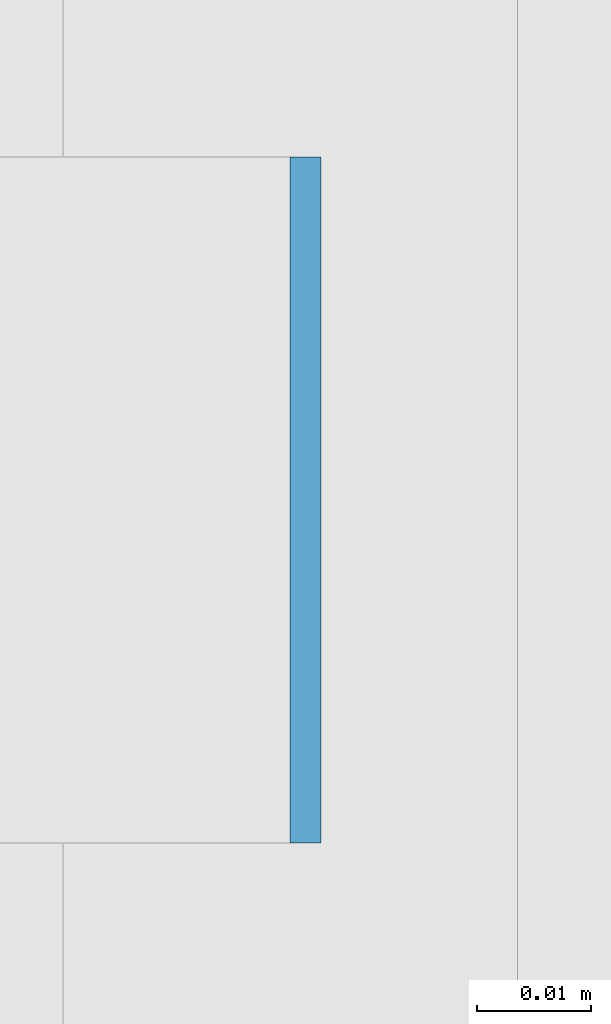
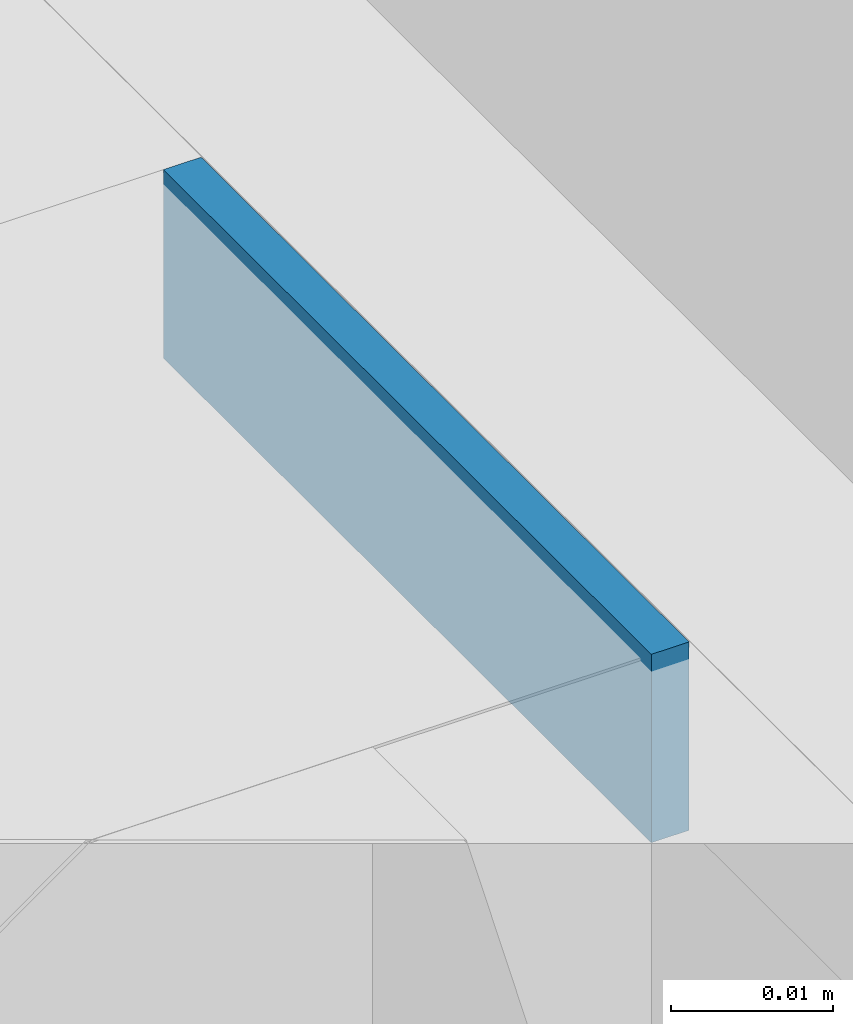
# One storey, part 307 of 646: 1 discrete accessory.
"""IFC4 building model written with IfcOpenShell, lengths in metres."""

import ifcopenshell
import ifcopenshell.guid

model = None  # the IFC model being written
_history = None  # IfcOwnerHistory: only IFC2X3 demands one
_inside = {}  # id of a spatial element -> (the spatial element, [elements in it])
_under = {}  # id of a project, library or spatial element -> (it, [spatial elements below it])
_declared = {}  # id of a project -> (the project, [libraries it declares])
_typed = {}  # id of a type object -> (the type object, [elements of that type])
_made_of = {}  # id of a material, layer set ... -> (it, [elements and type objects made of it])


def new_model(schema):
    """Start an empty IFC model of exactly this schema.

    Asked for "IFC4X3", IfcOpenShell would pick the latest addendum, in which some entities
    have other attributes; the version numbers below select the first issue.
    IFC2X3 requires an IfcOwnerHistory on every rooted entity: one is made here for all.
    """
    global model, _history
    if schema == "IFC4X3":
        model = ifcopenshell.file(schema_version=(4, 3, 0, 0))
    else:
        model = ifcopenshell.file(schema=schema)
    _inside.clear()
    _under.clear()
    _declared.clear()
    _typed.clear()
    _made_of.clear()
    _history = None
    if model.schema == "IFC2X3":
        org = make("IfcOrganization", Name="unknown")
        user = make(
            "IfcPersonAndOrganization",
            ThePerson=make("IfcPerson", FamilyName="unknown"),
            TheOrganization=org,
        )
        app = make(
            "IfcApplication",
            ApplicationDeveloper=org,
            Version="unknown",
            ApplicationFullName="unknown",
            ApplicationIdentifier="unknown",
        )
        _history = make(
            "IfcOwnerHistory",
            OwningUser=user,
            OwningApplication=app,
            ChangeAction="ADDED",
            CreationDate=0,
        )
    return model


def make(cls, **values):
    """One entity of the class cls with the attributes given. An attribute that is None is left unset."""
    return model.create_entity(
        cls, **{name: value for name, value in values.items() if value is not None}
    )


def rooted(cls, **values):
    """An entity with a GlobalId (a new one), such as an element, a storey or a relation."""
    return make(cls, GlobalId=ifcopenshell.guid.new(), OwnerHistory=_history, **values)


def si_unit(unit_type, name, prefix=None):
    """IfcSIUnit, for example si_unit("LENGTHUNIT", "METRE", prefix="MILLI")."""
    return make("IfcSIUnit", UnitType=unit_type, Prefix=prefix, Name=name)


def assignment(units):
    """IfcUnitAssignment: the units of a project."""
    return None if units is None else make("IfcUnitAssignment", Units=units)


def point(xyz):
    """IfcCartesianPoint."""
    return None if xyz is None else make("IfcCartesianPoint", Coordinates=xyz)


def direction(xyz):
    """IfcDirection."""
    return None if xyz is None else make("IfcDirection", DirectionRatios=xyz)


def frame(location, z_axis=None, x_axis=None):
    """IfcAxis2Placement3D, a coordinate frame: its origin and axes. An axis left out is left unset."""
    return make(
        "IfcAxis2Placement3D",
        Location=point(location),
        Axis=direction(z_axis),
        RefDirection=direction(x_axis),
    )


def frame_2d(location, x_axis=None):
    """IfcAxis2Placement2D, a coordinate frame in the plane: its origin and x axis."""
    return make(
        "IfcAxis2Placement2D", Location=point(location), RefDirection=direction(x_axis)
    )


def origin():
    """The frame at (0, 0, 0) with its axes left unset."""
    return frame((0.0, 0.0, 0.0))


def origin_2d():
    """The frame at (0, 0) in the plane with its x axis left unset."""
    return frame_2d((0.0, 0.0))


def place(relative_to, where):
    """IfcLocalPlacement: puts the frame where relative to a parent placement (None: the world)."""
    return make(
        "IfcLocalPlacement", PlacementRelTo=relative_to, RelativePlacement=where
    )


def context(
    kind, dimensions, precision=None, world=None, true_north=None, identifier=None
):
    """IfcGeometricRepresentationContext, for example the 3D "Model" context."""
    return make(
        "IfcGeometricRepresentationContext",
        ContextIdentifier=identifier,
        ContextType=kind,
        CoordinateSpaceDimension=dimensions,
        Precision=precision,
        WorldCoordinateSystem=world,
        TrueNorth=true_north,
    )


def subcontext(parent, identifier, kind, view, scale=None):
    """IfcGeometricRepresentationSubContext, for example "Body" below "Model"."""
    return make(
        "IfcGeometricRepresentationSubContext",
        ContextIdentifier=identifier,
        ContextType=kind,
        ParentContext=parent,
        TargetScale=scale,
        TargetView=view,
    )


def project(units=None, contexts=None):
    """IfcProject with its units and contexts."""
    return rooted(
        "IfcProject",
        Name="project",
        RepresentationContexts=contexts,
        UnitsInContext=assignment(units),
    )


def spatial(cls, under=None, at=None, **own):
    """A site, building, storey or space (cls), placed at a placement, below another one or the project."""
    s = rooted(cls, ObjectPlacement=at, **own)
    if under is not None:
        _under.setdefault(under.id(), (under, []))[1].append(s)
    return s


def profile(cls, at=None, kind="AREA", **sizes):
    """A parametric profile (cls). Its sizes go by their IFC names, for example OverallWidth=200.0."""
    return make(cls, ProfileType=kind, Position=at, **sizes)


def rectangle(**sizes):
    """IfcRectangleProfileDef."""
    return profile("IfcRectangleProfileDef", **sizes)


def extrude(swept, where, along, depth):
    """IfcExtrudedAreaSolid: the profile swept, set in the frame where, extruded along a direction by depth."""
    return make(
        "IfcExtrudedAreaSolid",
        SweptArea=swept,
        Position=where,
        ExtrudedDirection=direction(along),
        Depth=depth,
    )


def shape(context_of_items, identifier, shape_type, items):
    """IfcShapeRepresentation: the items that make up one representation, for example the "Body"."""
    return make(
        "IfcShapeRepresentation",
        ContextOfItems=context_of_items,
        RepresentationIdentifier=identifier,
        RepresentationType=shape_type,
        Items=items,
    )


def material(Name=None, Category=None):
    """IfcMaterial."""
    return make("IfcMaterial", Name=Name, Category=Category)


def made_of(thing, what):
    """Note that an element or type object is made of a material, layer set ...; save() writes the relation."""
    if what is not None:
        _made_of.setdefault(what.id(), (what, []))[1].append(thing)
    return thing


def type_object(cls, material=None, **own):
    """A type object (cls), such as IfcWallType, which elements share."""
    return made_of(rooted(cls, **own), material)


def element(
    cls,
    number,
    at=None,
    inside=None,
    cuts=None,
    type_object=None,
    material=None,
    context=None,
    identifier="Body",
    shape_type=None,
    held_by="IfcProductDefinitionShape",
    body=None,
    shapes=None,
    **own,
):
    """One element of the class cls, such as IfcWall. Its Tag is "e" and its number.

    at: its placement. inside: the storey or other place that contains it. cuts: it is an
    opening in that element (IfcRelVoidsElement). A single representation is given by context,
    identifier, shape_type and body (its items); several are given by shapes. held_by: the class
    of the entity that holds the representations. save() writes the other relations.
    """
    e = rooted(cls, Tag="e%d" % number, ObjectPlacement=at, **own)
    if body is not None:
        shapes = [shape(context, identifier, shape_type, body)]
    if shapes is not None:
        e.Representation = make(held_by, Representations=shapes)
    if inside is not None:
        _inside.setdefault(inside.id(), (inside, []))[1].append(e)
    if cuts is not None:
        rooted(
            "IfcRelVoidsElement", RelatingBuildingElement=cuts, RelatedOpeningElement=e
        )
    if type_object is not None:
        _typed.setdefault(type_object.id(), (type_object, []))[1].append(e)
    return made_of(e, material)


def aggregate(whole, parts):
    """IfcRelAggregates: a whole, such as a stair, and the parts it consists of."""
    return rooted("IfcRelAggregates", RelatingObject=whole, RelatedObjects=parts)


def save(model, path):
    """Write the relations noted so far, then the file.

    IfcRelAggregates (storeys below a building ...), IfcRelContainedInSpatialStructure (elements
    in a storey), IfcRelDefinesByType, IfcRelAssociatesMaterial and IfcRelDeclares: one each for
    every whole, place, type object, material and project.
    """
    for whole, parts in _under.values():
        aggregate(whole, parts)
    for where, things in _inside.values():
        rooted(
            "IfcRelContainedInSpatialStructure",
            RelatedElements=things,
            RelatingStructure=where,
        )
    for kind, things in _typed.values():
        rooted("IfcRelDefinesByType", RelatedObjects=things, RelatingType=kind)
    for what, things in _made_of.values():
        rooted("IfcRelAssociatesMaterial", RelatedObjects=things, RelatingMaterial=what)
    for by, libraries in _declared.values():
        rooted("IfcRelDeclares", RelatingContext=by, RelatedDefinitions=libraries)
    model.write(path)


model = new_model("IFC4")

# Units and contexts
model_context = context("Model", 3, precision=1e-05, world=origin(), true_north=direction((0.0, 1.0)))
body_context = subcontext(model_context, "Body", "Model", "MODEL_VIEW")
ifc_project = project(units=[si_unit("LENGTHUNIT", "METRE"), si_unit("AREAUNIT", "SQUARE_METRE"), si_unit("VOLUMEUNIT", "CUBIC_METRE"), si_unit("PLANEANGLEUNIT", "RADIAN"), si_unit("MASSUNIT", "GRAM", prefix="KILO")], contexts=[model_context])

# Site, building, storey
site_placement = place(None, origin())
site = spatial("IfcSite", under=ifc_project, at=site_placement, CompositionType="ELEMENT")
building_placement = place(site_placement, origin())
building = spatial("IfcBuilding", under=site, at=building_placement, Name="Silverbay Arena", CompositionType="ELEMENT")
storey_placement = place(building_placement, frame((0.0, 0.0, 33.5)))
storey = spatial("IfcBuildingStorey", under=building, at=storey_placement, Name="L05", CompositionType="ELEMENT", Elevation=33.5)

# Discrete accessory
ifc_material = material(Name="Steel S355", Category="steel")
discrete_accessory_type = type_object("IfcDiscreteAccessoryType", Name="Steel bracket plate", PredefinedType="BRACKET", material=ifc_material)
discrete_accessory_placement = place(storey_placement, frame((53.871337890625, 66.857177734375, 12.98583984375), z_axis=(0.0, 0.0, 1.0), x_axis=(1.0, 0.0, 0.0)))
element("IfcDiscreteAccessory", 1, at=discrete_accessory_placement, inside=storey, type_object=discrete_accessory_type, Name="Curtain wall packing plate", PredefinedType="BRACKET", context=body_context, shape_type="SweptSolid", body=[
    extrude(rectangle(XDim=0.002685546875, YDim=0.06005859375, at=origin_2d()), origin(), (0.0, 0.0, 1.0), 0.01416015625),
])

save(model, "model.ifc")
